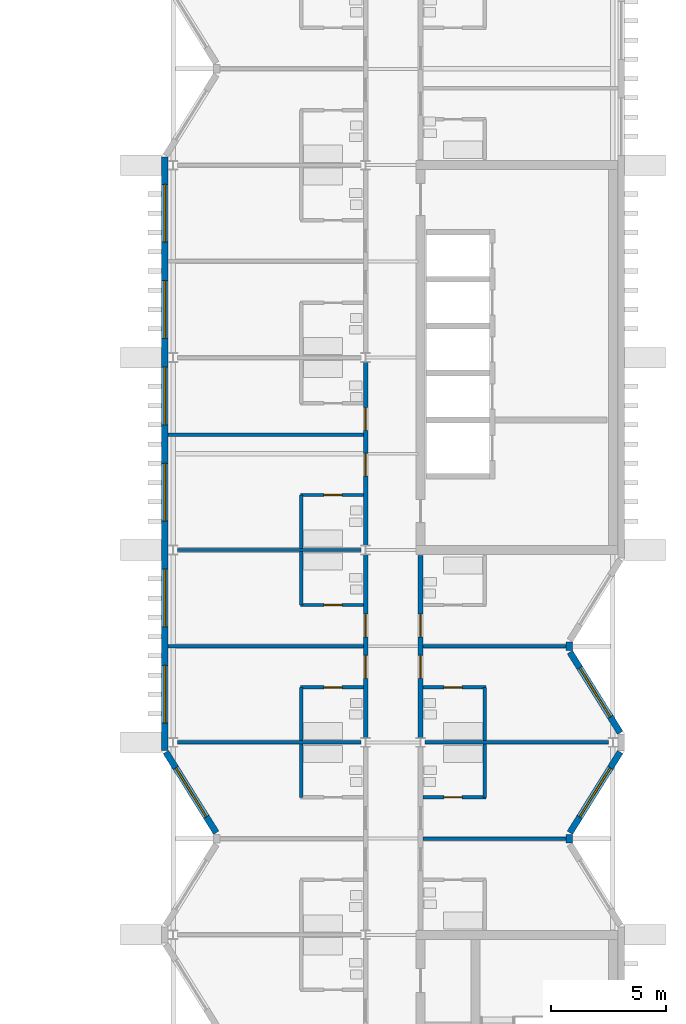
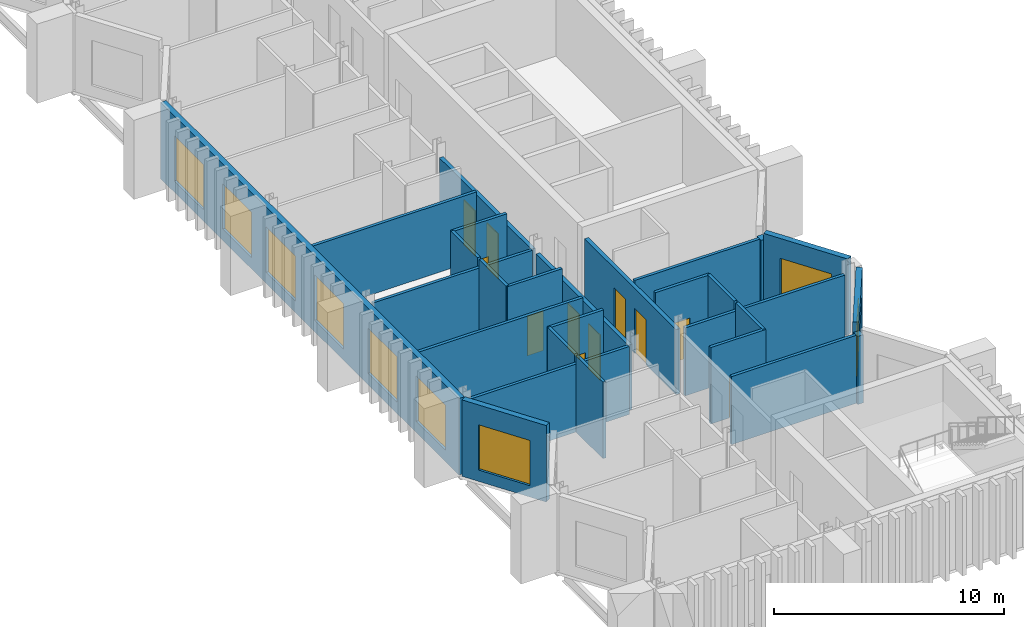
# One storey, part 13 of 20: 27 walls, 11 doors, 9 windows, 20 openings.
"""IFC4 building model written with IfcOpenShell, lengths in metres."""

from ifc_helpers import new_model, si_unit, direction, frame, frame_2d, origin, place, context, subcontext, project, spatial, rectangle, extrude, material, layer, layer_set, type_object, element, fill, save


model = new_model("IFC4")

# Units and contexts
model_context = context("Model", 3, precision=1e-05, world=origin(), true_north=direction((0.0, 1.0)))
body_context = subcontext(model_context, "Body", "Model", "MODEL_VIEW")
ifc_project = project(units=[si_unit("LENGTHUNIT", "METRE"), si_unit("AREAUNIT", "SQUARE_METRE"), si_unit("VOLUMEUNIT", "CUBIC_METRE"), si_unit("PLANEANGLEUNIT", "RADIAN"), si_unit("MASSUNIT", "GRAM", prefix="KILO")], contexts=[model_context])

# Site, building, storey
site_placement = place(None, origin())
site = spatial("IfcSite", under=ifc_project, at=site_placement, CompositionType="ELEMENT")
building_placement = place(site_placement, origin())
building = spatial("IfcBuilding", under=site, at=building_placement, Name="Cresset Court Congress Hotel", CompositionType="ELEMENT")
storey_placement = place(building_placement, frame((0.0, 0.0, 27.0)))
storey = spatial("IfcBuildingStorey", under=building, at=storey_placement, Name="L06", CompositionType="ELEMENT", Elevation=27.0)

# Wall, openings, doors
ifc_material_1 = material(Name="Gypsum board partition")
ifc_layer_1 = layer(ifc_material_1, 0.199951171875)
ifc_layer_set_1 = layer_set([ifc_layer_1], Name="Corridor wall 200")
wall_type_1 = type_object("IfcWallType", Name="Corridor wall 200", PredefinedType="PARTITIONING", material=ifc_layer_set_1)
wall_1_placement = place(storey_placement, frame((165.60009765625, 17.0, 0.0), z_axis=(0.0, 0.0, 1.0), x_axis=(0.0, 1.0, 0.0)))
wall_1 = element("IfcWall", 1, at=wall_1_placement, inside=storey, type_object=wall_type_1, Name="A.wl.L06.072", PredefinedType="PARTITIONING", context=body_context, shape_type="SweptSolid", body=[
    extrude(rectangle(XDim=8.0, YDim=0.199951171875, at=frame_2d((4.0, 0.0))), origin(), (0.0, 0.0, 1.0), 3.449951171875),
])
opening_1_placement = place(wall_1_placement, frame((2.60009765625, 0.0, 0.0)))
opening_1 = element("IfcOpeningElement", 2, at=opening_1_placement, cuts=wall_1, Name="Opening DA-06-10", PredefinedType="OPENING", context=body_context, shape_type="SweptSolid", body=[
    extrude(rectangle(XDim=1.0, YDim=2.39990234375, at=frame_2d((0.5, 1.199951171875))), frame((0.0, 0.10986328125, 0.0), z_axis=(0.0, -1.0, 0.0), x_axis=(1.0, 0.0, 0.0)), (0.0, 0.0, 1.0), 0.219970703125),
])
opening_2_placement = place(wall_1_placement, frame((4.39990234375, 0.0, 0.0)))
opening_2 = element("IfcOpeningElement", 3, at=opening_2_placement, cuts=wall_1, Name="Opening DA-06-12", PredefinedType="OPENING", context=body_context, shape_type="SweptSolid", body=[
    extrude(rectangle(XDim=1.0, YDim=2.39990234375, at=frame_2d((0.5, 1.199951171875))), frame((0.0, 0.10986328125, 0.0), z_axis=(0.0, -1.0, 0.0), x_axis=(1.0, 0.0, 0.0)), (0.0, 0.0, 1.0), 0.219970703125),
])
ifc_material_2 = material(Name="timber", Category="wood")
door_type_1 = type_object("IfcDoorType", Name="Guest-room entry door 1000x2400 FD30S", OperationType="SINGLE_SWING_LEFT", PredefinedType="DOOR", material=ifc_material_2)
door_1_placement = place(opening_1_placement, origin())
door_1 = element("IfcDoor", 4, at=door_1_placement, inside=storey, type_object=door_type_1, Name="Door DA-06-10", OperationType="SINGLE_SWING_RIGHT", OverallHeight=2.39990234375, OverallWidth=1.0, PredefinedType="DOOR", context=body_context, shape_type="SweptSolid", body=[
    extrude(rectangle(XDim=1.0, YDim=2.39990234375, at=frame_2d((0.5, 1.199951171875))), frame((0.0, 0.02490234375, 0.0), z_axis=(0.0, -1.0, 0.0), x_axis=(1.0, 0.0, 0.0)), (0.0, 0.0, 1.0), 0.050048828125),
])
fill(opening_1, door_1)
door_2_placement = place(opening_2_placement, origin())
door_2 = element("IfcDoor", 5, at=door_2_placement, inside=storey, type_object=door_type_1, Name="Door DA-06-12", OperationType="SINGLE_SWING_LEFT", OverallHeight=2.39990234375, OverallWidth=1.0, PredefinedType="DOOR", context=body_context, shape_type="SweptSolid", body=[
    extrude(rectangle(XDim=1.0, YDim=2.39990234375, at=frame_2d((0.5, 1.199951171875))), frame((0.0, 0.02490234375, 0.0), z_axis=(0.0, -1.0, 0.0), x_axis=(1.0, 0.0, 0.0)), (0.0, 0.0, 1.0), 0.050048828125),
])
fill(opening_2, door_2)

wall_2_placement = place(storey_placement, frame((165.60009765625, 25.39990234375, 0.0), z_axis=(0.0, 0.0, 1.0), x_axis=(0.0, 1.0, 0.0)))
wall_2 = element("IfcWall", 6, at=wall_2_placement, inside=storey, type_object=wall_type_1, Name="A.wl.L06.073", PredefinedType="PARTITIONING", context=body_context, shape_type="SweptSolid", body=[
    extrude(rectangle(XDim=8.0, YDim=0.199951171875, at=frame_2d((4.0, 0.0))), origin(), (0.0, 0.0, 1.0), 3.449951171875),
])
opening_3_placement = place(wall_2_placement, frame((3.02001953125, 0.0, 0.0)))
opening_3 = element("IfcOpeningElement", 7, at=opening_3_placement, cuts=wall_2, Name="Opening DA-06-14", PredefinedType="OPENING", context=body_context, shape_type="SweptSolid", body=[
    extrude(rectangle(XDim=1.0, YDim=2.39990234375, at=frame_2d((0.5, 1.199951171875))), frame((0.0, 0.10986328125, 0.0), z_axis=(0.0, -1.0, 0.0), x_axis=(1.0, 0.0, 0.0)), (0.0, 0.0, 1.0), 0.219970703125),
])
opening_4_placement = place(wall_2_placement, frame((5.02001953125, 0.0, 0.0)))
opening_4 = element("IfcOpeningElement", 8, at=opening_4_placement, cuts=wall_2, Name="Opening DA-06-16", PredefinedType="OPENING", context=body_context, shape_type="SweptSolid", body=[
    extrude(rectangle(XDim=1.0, YDim=2.39990234375, at=frame_2d((0.5, 1.199951171875))), frame((0.0, 0.10986328125, 0.0), z_axis=(0.0, -1.0, 0.0), x_axis=(1.0, 0.0, 0.0)), (0.0, 0.0, 1.0), 0.219970703125),
])
door_3_placement = place(opening_3_placement, origin())
door_3 = element("IfcDoor", 9, at=door_3_placement, inside=storey, type_object=door_type_1, Name="Door DA-06-14", OperationType="SINGLE_SWING_RIGHT", OverallHeight=2.39990234375, OverallWidth=1.0, PredefinedType="DOOR", context=body_context, shape_type="SweptSolid", body=[
    extrude(rectangle(XDim=1.0, YDim=2.39990234375, at=frame_2d((0.5, 1.199951171875))), frame((0.0, 0.02490234375, 0.0), z_axis=(0.0, -1.0, 0.0), x_axis=(1.0, 0.0, 0.0)), (0.0, 0.0, 1.0), 0.050048828125),
])
fill(opening_3, door_3)
door_4_placement = place(opening_4_placement, origin())
door_4 = element("IfcDoor", 10, at=door_4_placement, inside=storey, type_object=door_type_1, Name="Door DA-06-16", OperationType="SINGLE_SWING_LEFT", OverallHeight=2.39990234375, OverallWidth=1.0, PredefinedType="DOOR", context=body_context, shape_type="SweptSolid", body=[
    extrude(rectangle(XDim=1.0, YDim=2.39990234375, at=frame_2d((0.5, 1.199951171875))), frame((0.0, 0.02490234375, 0.0), z_axis=(0.0, -1.0, 0.0), x_axis=(1.0, 0.0, 0.0)), (0.0, 0.0, 1.0), 0.050048828125),
])
fill(opening_4, door_4)

wall_3_placement = place(storey_placement, frame((168.0, 17.0, 0.0), z_axis=(0.0, 0.0, 1.0), x_axis=(0.0, 1.0, 0.0)))
wall_3 = element("IfcWall", 11, at=wall_3_placement, inside=storey, type_object=wall_type_1, Name="A.wl.L06.079", PredefinedType="PARTITIONING", context=body_context, shape_type="SweptSolid", body=[
    extrude(rectangle(XDim=7.949951171875, YDim=0.199951171875, at=frame_2d((3.97509765625, 0.0))), origin(), (0.0, 0.0, 1.0), 3.449951171875),
])
opening_5_placement = place(wall_3_placement, frame((2.60009765625, 0.0, 0.0)))
opening_5 = element("IfcOpeningElement", 12, at=opening_5_placement, cuts=wall_3, Name="Opening DA-06-38", PredefinedType="OPENING", context=body_context, shape_type="SweptSolid", body=[
    extrude(rectangle(XDim=1.0, YDim=2.39990234375, at=frame_2d((0.5, 1.199951171875))), frame((0.0, 0.10986328125, 0.0), z_axis=(0.0, -1.0, 0.0), x_axis=(1.0, 0.0, 0.0)), (0.0, 0.0, 1.0), 0.219970703125),
])
opening_6_placement = place(wall_3_placement, frame((4.39990234375, 0.0, 0.0)))
opening_6 = element("IfcOpeningElement", 13, at=opening_6_placement, cuts=wall_3, Name="Opening DA-06-40", PredefinedType="OPENING", context=body_context, shape_type="SweptSolid", body=[
    extrude(rectangle(XDim=1.0, YDim=2.39990234375, at=frame_2d((0.5, 1.199951171875))), frame((0.0, 0.10986328125, 0.0), z_axis=(0.0, -1.0, 0.0), x_axis=(1.0, 0.0, 0.0)), (0.0, 0.0, 1.0), 0.219970703125),
])
door_5_placement = place(opening_5_placement, origin())
door_5 = element("IfcDoor", 14, at=door_5_placement, inside=storey, type_object=door_type_1, Name="Door DA-06-38", OperationType="SINGLE_SWING_RIGHT", OverallHeight=2.39990234375, OverallWidth=1.0, PredefinedType="DOOR", context=body_context, shape_type="SweptSolid", body=[
    extrude(rectangle(XDim=1.0, YDim=2.39990234375, at=frame_2d((0.5, 1.199951171875))), frame((0.0, 0.02490234375, 0.0), z_axis=(0.0, -1.0, 0.0), x_axis=(1.0, 0.0, 0.0)), (0.0, 0.0, 1.0), 0.050048828125),
])
fill(opening_5, door_5)
door_6_placement = place(opening_6_placement, origin())
door_6 = element("IfcDoor", 15, at=door_6_placement, inside=storey, type_object=door_type_1, Name="Door DA-06-40", OperationType="SINGLE_SWING_LEFT", OverallHeight=2.39990234375, OverallWidth=1.0, PredefinedType="DOOR", context=body_context, shape_type="SweptSolid", body=[
    extrude(rectangle(XDim=1.0, YDim=2.39990234375, at=frame_2d((0.5, 1.199951171875))), frame((0.0, 0.02490234375, 0.0), z_axis=(0.0, -1.0, 0.0), x_axis=(1.0, 0.0, 0.0)), (0.0, 0.0, 1.0), 0.050048828125),
])
fill(opening_6, door_6)

# Walls
ifc_material_3 = material(Name="Gypsum board partition")
ifc_layer_2 = layer(ifc_material_3, 0.14990234375)
ifc_layer_set_2 = layer_set([ifc_layer_2], Name="En-suite wall 150")
wall_type_2 = type_object("IfcWallType", Name="En-suite wall 150", PredefinedType="PARTITIONING", material=ifc_layer_set_2)
wall_4_placement = place(storey_placement, frame((162.800048828125, 14.39990234375, 0.0), z_axis=(0.0, 0.0, 1.0), x_axis=(0.0, 1.0, 0.0)))
element("IfcWall", 16, at=wall_4_placement, inside=storey, type_object=wall_type_2, Name="A.wl.L06.007", PredefinedType="PARTITIONING", context=body_context, shape_type="SweptSolid", body=[
    extrude(rectangle(XDim=2.3251953125, YDim=0.14990234375, at=frame_2d((1.16259765625, 0.0))), origin(), (0.0, 0.0, 1.0), 4.050048828125),
])
wall_5_placement = place(storey_placement, frame((162.800048828125, 16.875, 0.0), z_axis=(0.0, 0.0, 1.0), x_axis=(0.0, 1.0, 0.0)))
element("IfcWall", 17, at=wall_5_placement, inside=storey, type_object=wall_type_2, Name="A.wl.L06.009", PredefinedType="PARTITIONING", context=body_context, shape_type="SweptSolid", body=[
    extrude(rectangle(XDim=2.324951171875, YDim=0.14990234375, at=frame_2d((1.16259765625, 0.0))), origin(), (0.0, 0.0, 1.0), 4.050048828125),
])

# Wall, opening, door
wall_6_placement = place(storey_placement, frame((162.75, 19.199951171875, 0.0), z_axis=(0.0, 0.0, 1.0), x_axis=(1.0, 0.0, 0.0)))
wall_6 = element("IfcWall", 18, at=wall_6_placement, inside=storey, type_object=wall_type_2, Name="A.wl.L06.010", PredefinedType="PARTITIONING", context=body_context, shape_type="SweptSolid", body=[
    extrude(rectangle(XDim=2.75, YDim=0.14990234375, at=frame_2d((1.375, 0.0))), origin(), (0.0, 0.0, 1.0), 4.050048828125),
])
opening_7_placement = place(wall_6_placement, frame((1.030029296875, 0.0, 0.0)))
opening_7 = element("IfcOpeningElement", 19, at=opening_7_placement, cuts=wall_6, Name="Opening DA-06-09", PredefinedType="OPENING", context=body_context, shape_type="SweptSolid", body=[
    extrude(rectangle(XDim=0.800048828125, YDim=2.10009765625, at=frame_2d((0.39990234375, 1.050048828125))), frame((0.0, 0.0849609375, 0.0), z_axis=(0.0, -1.0, 0.0), x_axis=(1.0, 0.0, 0.0)), (0.0, 0.0, 1.0), 0.169921875),
])
ifc_material_4 = material(Name="timber", Category="wood")
door_type_2 = type_object("IfcDoorType", Name="En-suite door 800x2100", OperationType="SINGLE_SWING_LEFT", PredefinedType="DOOR", material=ifc_material_4)
door_7_placement = place(opening_7_placement, origin())
door_7 = element("IfcDoor", 20, at=door_7_placement, inside=storey, type_object=door_type_2, Name="Door DA-06-09", OperationType="SINGLE_SWING_RIGHT", OverallHeight=2.10009765625, OverallWidth=0.800048828125, PredefinedType="DOOR", context=body_context, shape_type="SweptSolid", body=[
    extrude(rectangle(XDim=0.800048828125, YDim=2.10009765625, at=frame_2d((0.39990234375, 1.050048828125))), frame((0.0, 0.02490234375, 0.0), z_axis=(0.0, -1.0, 0.0), x_axis=(1.0, 0.0, 0.0)), (0.0, 0.0, 1.0), 0.050048828125),
])
fill(opening_7, door_7)

# Wall
wall_7_placement = place(storey_placement, frame((162.800048828125, 22.800048828125, 0.0), z_axis=(0.0, 0.0, 1.0), x_axis=(0.0, 1.0, 0.0)))
element("IfcWall", 21, at=wall_7_placement, inside=storey, type_object=wall_type_2, Name="A.wl.L06.011", PredefinedType="PARTITIONING", context=body_context, shape_type="SweptSolid", body=[
    extrude(rectangle(XDim=2.324951171875, YDim=0.14990234375, at=frame_2d((1.16259765625, 0.0))), origin(), (0.0, 0.0, 1.0), 4.050048828125),
])

# Wall, opening, door
wall_8_placement = place(storey_placement, frame((162.75, 22.800048828125, 0.0), z_axis=(0.0, 0.0, 1.0), x_axis=(1.0, 0.0, 0.0)))
wall_8 = element("IfcWall", 22, at=wall_8_placement, inside=storey, type_object=wall_type_2, Name="A.wl.L06.012", PredefinedType="PARTITIONING", context=body_context, shape_type="SweptSolid", body=[
    extrude(rectangle(XDim=2.75, YDim=0.14990234375, at=frame_2d((1.375, 0.0))), origin(), (0.0, 0.0, 1.0), 4.050048828125),
])
opening_8_placement = place(wall_8_placement, frame((1.030029296875, 0.0, 0.0)))
opening_8 = element("IfcOpeningElement", 23, at=opening_8_placement, cuts=wall_8, Name="Opening DA-06-11", PredefinedType="OPENING", context=body_context, shape_type="SweptSolid", body=[
    extrude(rectangle(XDim=0.800048828125, YDim=2.10009765625, at=frame_2d((0.39990234375, 1.050048828125))), frame((0.0, 0.0849609375, 0.0), z_axis=(0.0, -1.0, 0.0), x_axis=(1.0, 0.0, 0.0)), (0.0, 0.0, 1.0), 0.169921875),
])
door_8_placement = place(opening_8_placement, origin())
door_8 = element("IfcDoor", 24, at=door_8_placement, inside=storey, type_object=door_type_2, Name="Door DA-06-11", OperationType="SINGLE_SWING_LEFT", OverallHeight=2.10009765625, OverallWidth=0.800048828125, PredefinedType="DOOR", context=body_context, shape_type="SweptSolid", body=[
    extrude(rectangle(XDim=0.800048828125, YDim=2.10009765625, at=frame_2d((0.39990234375, 1.050048828125))), frame((0.0, 0.02490234375, 0.0), z_axis=(0.0, -1.0, 0.0), x_axis=(1.0, 0.0, 0.0)), (0.0, 0.0, 1.0), 0.050048828125),
])
fill(opening_8, door_8)

# Wall
wall_9_placement = place(storey_placement, frame((162.800048828125, 25.27490234375, 0.0), z_axis=(0.0, 0.0, 1.0), x_axis=(0.0, 1.0, 0.0)))
element("IfcWall", 25, at=wall_9_placement, inside=storey, type_object=wall_type_2, Name="A.wl.L06.013", PredefinedType="PARTITIONING", context=body_context, shape_type="SweptSolid", body=[
    extrude(rectangle(XDim=2.3251953125, YDim=0.14990234375, at=frame_2d((1.16259765625, 0.0))), origin(), (0.0, 0.0, 1.0), 4.050048828125),
])

# Wall, opening, door
wall_10_placement = place(storey_placement, frame((162.75, 27.60009765625, 0.0), z_axis=(0.0, 0.0, 1.0), x_axis=(1.0, 0.0, 0.0)))
wall_10 = element("IfcWall", 26, at=wall_10_placement, inside=storey, type_object=wall_type_2, Name="A.wl.L06.014", PredefinedType="PARTITIONING", context=body_context, shape_type="SweptSolid", body=[
    extrude(rectangle(XDim=2.75, YDim=0.14990234375, at=frame_2d((1.375, 0.0))), origin(), (0.0, 0.0, 1.0), 4.050048828125),
])
opening_9_placement = place(wall_10_placement, frame((1.030029296875, 0.0, 0.0)))
opening_9 = element("IfcOpeningElement", 27, at=opening_9_placement, cuts=wall_10, Name="Opening DA-06-13", PredefinedType="OPENING", context=body_context, shape_type="SweptSolid", body=[
    extrude(rectangle(XDim=0.800048828125, YDim=2.10009765625, at=frame_2d((0.39990234375, 1.050048828125))), frame((0.0, 0.0849609375, 0.0), z_axis=(0.0, -1.0, 0.0), x_axis=(1.0, 0.0, 0.0)), (0.0, 0.0, 1.0), 0.169921875),
])
door_9_placement = place(opening_9_placement, origin())
door_9 = element("IfcDoor", 28, at=door_9_placement, inside=storey, type_object=door_type_2, Name="Door DA-06-13", OperationType="SINGLE_SWING_RIGHT", OverallHeight=2.10009765625, OverallWidth=0.800048828125, PredefinedType="DOOR", context=body_context, shape_type="SweptSolid", body=[
    extrude(rectangle(XDim=0.800048828125, YDim=2.10009765625, at=frame_2d((0.39990234375, 1.050048828125))), frame((0.0, 0.02490234375, 0.0), z_axis=(0.0, -1.0, 0.0), x_axis=(1.0, 0.0, 0.0)), (0.0, 0.0, 1.0), 0.050048828125),
])
fill(opening_9, door_9)

# Wall
wall_11_placement = place(storey_placement, frame((170.800048828125, 14.39990234375, 0.0), z_axis=(0.0, 0.0, 1.0), x_axis=(0.0, 1.0, 0.0)))
element("IfcWall", 29, at=wall_11_placement, inside=storey, type_object=wall_type_2, Name="A.wl.L06.035", PredefinedType="PARTITIONING", context=body_context, shape_type="SweptSolid", body=[
    extrude(rectangle(XDim=2.3251953125, YDim=0.14990234375, at=frame_2d((1.16259765625, 0.0))), origin(), (0.0, 0.0, 1.0), 4.050048828125),
])

# Wall, opening, door
wall_12_placement = place(storey_placement, frame((170.85009765625, 14.39990234375, 0.0), z_axis=(0.0, 0.0, 1.0), x_axis=(-1.0, 0.0, 0.0)))
wall_12 = element("IfcWall", 30, at=wall_12_placement, inside=storey, type_object=wall_type_2, Name="A.wl.L06.036", PredefinedType="PARTITIONING", context=body_context, shape_type="SweptSolid", body=[
    extrude(rectangle(XDim=2.75, YDim=0.14990234375, at=frame_2d((1.375, 0.0))), origin(), (0.0, 0.0, 1.0), 4.050048828125),
])
opening_10_placement = place(wall_12_placement, frame((1.030029296875, 0.0, 0.0)))
opening_10 = element("IfcOpeningElement", 31, at=opening_10_placement, cuts=wall_12, Name="Opening DA-06-35", PredefinedType="OPENING", context=body_context, shape_type="SweptSolid", body=[
    extrude(rectangle(XDim=0.800048828125, YDim=2.10009765625, at=frame_2d((0.39990234375, 1.050048828125))), frame((0.0, 0.0849609375, 0.0), z_axis=(0.0, -1.0, 0.0), x_axis=(1.0, 0.0, 0.0)), (0.0, 0.0, 1.0), 0.169921875),
])
door_10_placement = place(opening_10_placement, origin())
door_10 = element("IfcDoor", 32, at=door_10_placement, inside=storey, type_object=door_type_2, Name="Door DA-06-35", OperationType="SINGLE_SWING_LEFT", OverallHeight=2.10009765625, OverallWidth=0.800048828125, PredefinedType="DOOR", context=body_context, shape_type="SweptSolid", body=[
    extrude(rectangle(XDim=0.800048828125, YDim=2.10009765625, at=frame_2d((0.39990234375, 1.050048828125))), frame((0.0, 0.02490234375, 0.0), z_axis=(0.0, -1.0, 0.0), x_axis=(1.0, 0.0, 0.0)), (0.0, 0.0, 1.0), 0.050048828125),
])
fill(opening_10, door_10)

# Wall
wall_13_placement = place(storey_placement, frame((170.800048828125, 16.875, 0.0), z_axis=(0.0, 0.0, 1.0), x_axis=(0.0, 1.0, 0.0)))
element("IfcWall", 33, at=wall_13_placement, inside=storey, type_object=wall_type_2, Name="A.wl.L06.037", PredefinedType="PARTITIONING", context=body_context, shape_type="SweptSolid", body=[
    extrude(rectangle(XDim=2.324951171875, YDim=0.14990234375, at=frame_2d((1.16259765625, 0.0))), origin(), (0.0, 0.0, 1.0), 4.050048828125),
])

# Wall, opening, door
wall_14_placement = place(storey_placement, frame((170.85009765625, 19.199951171875, 0.0), z_axis=(0.0, 0.0, 1.0), x_axis=(-1.0, 0.0, 0.0)))
wall_14 = element("IfcWall", 34, at=wall_14_placement, inside=storey, type_object=wall_type_2, Name="A.wl.L06.038", PredefinedType="PARTITIONING", context=body_context, shape_type="SweptSolid", body=[
    extrude(rectangle(XDim=2.75, YDim=0.14990234375, at=frame_2d((1.375, 0.0))), origin(), (0.0, 0.0, 1.0), 4.050048828125),
])
opening_11_placement = place(wall_14_placement, frame((1.030029296875, 0.0, 0.0)))
opening_11 = element("IfcOpeningElement", 35, at=opening_11_placement, cuts=wall_14, Name="Opening DA-06-37", PredefinedType="OPENING", context=body_context, shape_type="SweptSolid", body=[
    extrude(rectangle(XDim=0.800048828125, YDim=2.10009765625, at=frame_2d((0.39990234375, 1.050048828125))), frame((0.0, 0.0849609375, 0.0), z_axis=(0.0, -1.0, 0.0), x_axis=(1.0, 0.0, 0.0)), (0.0, 0.0, 1.0), 0.169921875),
])
door_11_placement = place(opening_11_placement, origin())
door_11 = element("IfcDoor", 36, at=door_11_placement, inside=storey, type_object=door_type_2, Name="Door DA-06-37", OperationType="SINGLE_SWING_RIGHT", OverallHeight=2.10009765625, OverallWidth=0.800048828125, PredefinedType="DOOR", context=body_context, shape_type="SweptSolid", body=[
    extrude(rectangle(XDim=0.800048828125, YDim=2.10009765625, at=frame_2d((0.39990234375, 1.050048828125))), frame((0.0, 0.02490234375, 0.0), z_axis=(0.0, -1.0, 0.0), x_axis=(1.0, 0.0, 0.0)), (0.0, 0.0, 1.0), 0.050048828125),
])
fill(opening_11, door_11)

# Wall, opening, window
ifc_material_5 = material(Name="Precast concrete C50", Category="concrete")
ifc_layer_3 = layer(ifc_material_5, 0.280029296875)
ifc_layer_set_3 = layer_set([ifc_layer_3], Name="External wall 280")
wall_type_3 = type_object("IfcWallType", Name="External wall 280", PredefinedType="SOLIDWALL", material=ifc_layer_set_3)
wall_15_placement = place(storey_placement, frame((159.07861328125, 12.85888671875, 0.0), z_axis=(0.0, 0.0, 1.0), x_axis=(-0.528992500338, 0.848626498871, 0.0)))
wall_15 = element("IfcWall", 37, at=wall_15_placement, inside=storey, type_object=wall_type_3, Name="A.ew.L06.Wn.1.1", PredefinedType="SOLIDWALL", context=body_context, shape_type="SweptSolid", body=[
    extrude(rectangle(XDim=4.14453125, YDim=0.280029296875, at=frame_2d((2.072265625, 0.0))), origin(), (0.0, 0.0, 1.0), 4.050048828125),
])
opening_12_placement = place(wall_15_placement, frame((0.812255859375, 0.0, 0.60009765625)))
opening_12 = element("IfcOpeningElement", 38, at=opening_12_placement, cuts=wall_15, Name="Opening NA-06-04", PredefinedType="OPENING", context=body_context, shape_type="SweptSolid", body=[
    extrude(rectangle(XDim=2.52001953125, YDim=2.39990234375, at=frame_2d((1.260009765625, 1.199951171875))), frame((0.0, 0.14990234375, 0.0), z_axis=(0.0, -1.0, 0.0), x_axis=(1.0, 0.0, 0.0)), (0.0, 0.0, 1.0), 0.300048828125),
])
ifc_material_6 = material(Name="Aluminium and glass", Category="aluminium")
window_type = type_object("IfcWindowType", Name="Window 2520x2400", PartitioningType="SINGLE_PANEL", PredefinedType="WINDOW", material=ifc_material_6)
window_1_placement = place(opening_12_placement, origin())
window_1 = element("IfcWindow", 39, at=window_1_placement, inside=storey, type_object=window_type, Name="Window NA-06-04", OverallHeight=2.39990234375, OverallWidth=2.52001953125, PartitioningType="SINGLE_PANEL", PredefinedType="WINDOW", context=body_context, shape_type="SweptSolid", body=[
    extrude(rectangle(XDim=2.52001953125, YDim=2.39990234375, at=frame_2d((1.260009765625, 1.199951171875))), frame((0.0, 0.030029296875, 0.0), z_axis=(0.0, -1.0, 0.0), x_axis=(1.0, 0.0, 0.0)), (0.0, 0.0, 1.0), 0.06005859375),
])
fill(opening_12, window_1)

# Wall, openings, windows
wall_16_placement = place(storey_placement, frame((156.840087890625, 16.449951171875, 0.0), z_axis=(0.0, 0.0, 1.0), x_axis=(0.0, 1.0, 0.0)))
wall_16 = element("IfcWall", 40, at=wall_16_placement, inside=storey, type_object=wall_type_3, Name="A.ew.L06.W.3", PredefinedType="SOLIDWALL", context=body_context, shape_type="SweptSolid", body=[
    extrude(rectangle(XDim=25.900146484375, YDim=0.280029296875, at=frame_2d((12.9501953125, 0.0))), origin(), (0.0, 0.0, 1.0), 4.050048828125),
])
opening_13_placement = place(wall_16_placement, frame((1.18994140625, 0.0, 0.60009765625)))
opening_13 = element("IfcOpeningElement", 41, at=opening_13_placement, cuts=wall_16, Name="Opening NA-06-05", PredefinedType="OPENING", context=body_context, shape_type="SweptSolid", body=[
    extrude(rectangle(XDim=2.52001953125, YDim=2.39990234375, at=frame_2d((1.260009765625, 1.199951171875))), frame((0.0, 0.14990234375, 0.0), z_axis=(0.0, -1.0, 0.0), x_axis=(1.0, 0.0, 0.0)), (0.0, 0.0, 1.0), 0.300048828125),
])
opening_14_placement = place(wall_16_placement, frame((5.389892578125, 0.0, 0.60009765625)))
opening_14 = element("IfcOpeningElement", 42, at=opening_14_placement, cuts=wall_16, Name="Opening NA-06-06", PredefinedType="OPENING", context=body_context, shape_type="SweptSolid", body=[
    extrude(rectangle(XDim=2.52001953125, YDim=2.39990234375, at=frame_2d((1.260009765625, 1.199951171875))), frame((0.0, 0.14990234375, 0.0), z_axis=(0.0, -1.0, 0.0), x_axis=(1.0, 0.0, 0.0)), (0.0, 0.0, 1.0), 0.300048828125),
])
opening_15_placement = place(wall_16_placement, frame((10.010009765625, 0.0, 0.60009765625)))
opening_15 = element("IfcOpeningElement", 43, at=opening_15_placement, cuts=wall_16, Name="Opening NA-06-07", PredefinedType="OPENING", context=body_context, shape_type="SweptSolid", body=[
    extrude(rectangle(XDim=2.52001953125, YDim=2.39990234375, at=frame_2d((1.260009765625, 1.199951171875))), frame((0.0, 0.14990234375, 0.0), z_axis=(0.0, -1.0, 0.0), x_axis=(1.0, 0.0, 0.0)), (0.0, 0.0, 1.0), 0.300048828125),
])
opening_16_placement = place(wall_16_placement, frame((14.2099609375, 0.0, 0.60009765625)))
opening_16 = element("IfcOpeningElement", 44, at=opening_16_placement, cuts=wall_16, Name="Opening NA-06-08", PredefinedType="OPENING", context=body_context, shape_type="SweptSolid", body=[
    extrude(rectangle(XDim=2.52001953125, YDim=2.39990234375, at=frame_2d((1.260009765625, 1.199951171875))), frame((0.0, 0.14990234375, 0.0), z_axis=(0.0, -1.0, 0.0), x_axis=(1.0, 0.0, 0.0)), (0.0, 0.0, 1.0), 0.300048828125),
])
opening_17_placement = place(wall_16_placement, frame((17.989990234375, 0.0, 0.60009765625)))
opening_17 = element("IfcOpeningElement", 45, at=opening_17_placement, cuts=wall_16, Name="Opening NA-06-09", PredefinedType="OPENING", context=body_context, shape_type="SweptSolid", body=[
    extrude(rectangle(XDim=2.52001953125, YDim=2.39990234375, at=frame_2d((1.260009765625, 1.199951171875))), frame((0.0, 0.14990234375, 0.0), z_axis=(0.0, -1.0, 0.0), x_axis=(1.0, 0.0, 0.0)), (0.0, 0.0, 1.0), 0.300048828125),
])
opening_18_placement = place(wall_16_placement, frame((22.18994140625, 0.0, 0.60009765625)))
opening_18 = element("IfcOpeningElement", 46, at=opening_18_placement, cuts=wall_16, Name="Opening NA-06-10", PredefinedType="OPENING", context=body_context, shape_type="SweptSolid", body=[
    extrude(rectangle(XDim=2.52001953125, YDim=2.39990234375, at=frame_2d((1.260009765625, 1.199951171875))), frame((0.0, 0.14990234375, 0.0), z_axis=(0.0, -1.0, 0.0), x_axis=(1.0, 0.0, 0.0)), (0.0, 0.0, 1.0), 0.300048828125),
])
window_2_placement = place(opening_13_placement, origin())
window_2 = element("IfcWindow", 47, at=window_2_placement, inside=storey, type_object=window_type, Name="Window NA-06-05", OverallHeight=2.39990234375, OverallWidth=2.52001953125, PartitioningType="SINGLE_PANEL", PredefinedType="WINDOW", context=body_context, shape_type="SweptSolid", body=[
    extrude(rectangle(XDim=2.52001953125, YDim=2.39990234375, at=frame_2d((1.260009765625, 1.199951171875))), frame((0.0, 0.030029296875, 0.0), z_axis=(0.0, -1.0, 0.0), x_axis=(1.0, 0.0, 0.0)), (0.0, 0.0, 1.0), 0.06005859375),
])
fill(opening_13, window_2)
window_3_placement = place(opening_14_placement, origin())
window_3 = element("IfcWindow", 48, at=window_3_placement, inside=storey, type_object=window_type, Name="Window NA-06-06", OverallHeight=2.39990234375, OverallWidth=2.52001953125, PartitioningType="SINGLE_PANEL", PredefinedType="WINDOW", context=body_context, shape_type="SweptSolid", body=[
    extrude(rectangle(XDim=2.52001953125, YDim=2.39990234375, at=frame_2d((1.260009765625, 1.199951171875))), frame((0.0, 0.030029296875, 0.0), z_axis=(0.0, -1.0, 0.0), x_axis=(1.0, 0.0, 0.0)), (0.0, 0.0, 1.0), 0.06005859375),
])
fill(opening_14, window_3)
window_4_placement = place(opening_15_placement, origin())
window_4 = element("IfcWindow", 49, at=window_4_placement, inside=storey, type_object=window_type, Name="Window NA-06-07", OverallHeight=2.39990234375, OverallWidth=2.52001953125, PartitioningType="SINGLE_PANEL", PredefinedType="WINDOW", context=body_context, shape_type="SweptSolid", body=[
    extrude(rectangle(XDim=2.52001953125, YDim=2.39990234375, at=frame_2d((1.260009765625, 1.199951171875))), frame((0.0, 0.030029296875, 0.0), z_axis=(0.0, -1.0, 0.0), x_axis=(1.0, 0.0, 0.0)), (0.0, 0.0, 1.0), 0.06005859375),
])
fill(opening_15, window_4)
window_5_placement = place(opening_16_placement, origin())
window_5 = element("IfcWindow", 50, at=window_5_placement, inside=storey, type_object=window_type, Name="Window NA-06-08", OverallHeight=2.39990234375, OverallWidth=2.52001953125, PartitioningType="SINGLE_PANEL", PredefinedType="WINDOW", context=body_context, shape_type="SweptSolid", body=[
    extrude(rectangle(XDim=2.52001953125, YDim=2.39990234375, at=frame_2d((1.260009765625, 1.199951171875))), frame((0.0, 0.030029296875, 0.0), z_axis=(0.0, -1.0, 0.0), x_axis=(1.0, 0.0, 0.0)), (0.0, 0.0, 1.0), 0.06005859375),
])
fill(opening_16, window_5)
window_6_placement = place(opening_17_placement, origin())
window_6 = element("IfcWindow", 51, at=window_6_placement, inside=storey, type_object=window_type, Name="Window NA-06-09", OverallHeight=2.39990234375, OverallWidth=2.52001953125, PartitioningType="SINGLE_PANEL", PredefinedType="WINDOW", context=body_context, shape_type="SweptSolid", body=[
    extrude(rectangle(XDim=2.52001953125, YDim=2.39990234375, at=frame_2d((1.260009765625, 1.199951171875))), frame((0.0, 0.030029296875, 0.0), z_axis=(0.0, -1.0, 0.0), x_axis=(1.0, 0.0, 0.0)), (0.0, 0.0, 1.0), 0.06005859375),
])
fill(opening_17, window_6)
window_7_placement = place(opening_18_placement, origin())
window_7 = element("IfcWindow", 52, at=window_7_placement, inside=storey, type_object=window_type, Name="Window NA-06-10", OverallHeight=2.39990234375, OverallWidth=2.52001953125, PartitioningType="SINGLE_PANEL", PredefinedType="WINDOW", context=body_context, shape_type="SweptSolid", body=[
    extrude(rectangle(XDim=2.52001953125, YDim=2.39990234375, at=frame_2d((1.260009765625, 1.199951171875))), frame((0.0, 0.030029296875, 0.0), z_axis=(0.0, -1.0, 0.0), x_axis=(1.0, 0.0, 0.0)), (0.0, 0.0, 1.0), 0.06005859375),
])
fill(opening_18, window_7)

# Wall, opening, window
wall_17_placement = place(storey_placement, frame((174.521484375, 12.85888671875, 0.0), z_axis=(0.0, 0.0, 1.0), x_axis=(0.528992500338, 0.848626498871, 0.0)))
wall_17 = element("IfcWall", 53, at=wall_17_placement, inside=storey, type_object=wall_type_3, Name="A.ew.L06.En.1.1", PredefinedType="SOLIDWALL", context=body_context, shape_type="SweptSolid", body=[
    extrude(rectangle(XDim=4.14453125, YDim=0.280029296875, at=frame_2d((2.072265625, 0.0))), origin(), (0.0, 0.0, 1.0), 4.050048828125),
])
opening_19_placement = place(wall_17_placement, frame((0.81201171875, 0.0, 0.60009765625)))
opening_19 = element("IfcOpeningElement", 54, at=opening_19_placement, cuts=wall_17, Name="Opening NA-06-18", PredefinedType="OPENING", context=body_context, shape_type="SweptSolid", body=[
    extrude(rectangle(XDim=2.52001953125, YDim=2.39990234375, at=frame_2d((1.260009765625, 1.199951171875))), frame((0.0, 0.14990234375, 0.0), z_axis=(0.0, -1.0, 0.0), x_axis=(1.0, 0.0, 0.0)), (0.0, 0.0, 1.0), 0.300048828125),
])
window_8_placement = place(opening_19_placement, origin())
window_8 = element("IfcWindow", 55, at=window_8_placement, inside=storey, type_object=window_type, Name="Window NA-06-18", OverallHeight=2.39990234375, OverallWidth=2.52001953125, PartitioningType="SINGLE_PANEL", PredefinedType="WINDOW", context=body_context, shape_type="SweptSolid", body=[
    extrude(rectangle(XDim=2.52001953125, YDim=2.39990234375, at=frame_2d((1.260009765625, 1.199951171875))), frame((0.0, 0.030029296875, 0.0), z_axis=(0.0, -1.0, 0.0), x_axis=(1.0, 0.0, 0.0)), (0.0, 0.0, 1.0), 0.06005859375),
])
fill(opening_19, window_8)

# Wall
wall_18_placement = place(storey_placement, frame((174.500244140625, 12.4150390625, 0.0), z_axis=(0.0, 0.0, 1.0), x_axis=(0.0, 1.0, 0.0)))
element("IfcWall", 56, at=wall_18_placement, inside=storey, type_object=wall_type_3, Name="A.ew.L06.En.1.2", PredefinedType="SOLIDWALL", context=body_context, shape_type="SweptSolid", body=[
    extrude(rectangle(XDim=0.369873046875, YDim=0.280029296875, at=frame_2d((0.18505859375, 0.0))), origin(), (0.0, 0.0, 1.0), 3.60400390625),
])

# Wall, opening, window
wall_19_placement = place(storey_placement, frame((176.7138671875, 17.22412109375, 0.0), z_axis=(0.0, 0.0, 1.0), x_axis=(-0.529018946142, 0.848610013271, 0.0)))
wall_19 = element("IfcWall", 57, at=wall_19_placement, inside=storey, type_object=wall_type_3, Name="A.ew.L06.En.2.0", PredefinedType="SOLIDWALL", context=body_context, shape_type="SweptSolid", body=[
    extrude(rectangle(XDim=4.144287109375, YDim=0.280029296875, at=frame_2d((2.072265625, 0.0))), origin(), (0.0, 0.0, 1.0), 4.050048828125),
])
opening_20_placement = place(wall_19_placement, frame((0.81201171875, 0.0, 0.60009765625)))
opening_20 = element("IfcOpeningElement", 58, at=opening_20_placement, cuts=wall_19, Name="Opening NA-06-19", PredefinedType="OPENING", context=body_context, shape_type="SweptSolid", body=[
    extrude(rectangle(XDim=2.52001953125, YDim=2.39990234375, at=frame_2d((1.260009765625, 1.199951171875))), frame((0.0, 0.14990234375, 0.0), z_axis=(0.0, -1.0, 0.0), x_axis=(1.0, 0.0, 0.0)), (0.0, 0.0, 1.0), 0.300048828125),
])
window_9_placement = place(opening_20_placement, origin())
window_9 = element("IfcWindow", 59, at=window_9_placement, inside=storey, type_object=window_type, Name="Window NA-06-19", OverallHeight=2.39990234375, OverallWidth=2.52001953125, PartitioningType="SINGLE_PANEL", PredefinedType="WINDOW", context=body_context, shape_type="SweptSolid", body=[
    extrude(rectangle(XDim=2.52001953125, YDim=2.39990234375, at=frame_2d((1.260009765625, 1.199951171875))), frame((0.0, 0.030029296875, 0.0), z_axis=(0.0, -1.0, 0.0), x_axis=(1.0, 0.0, 0.0)), (0.0, 0.0, 1.0), 0.06005859375),
])
fill(opening_20, window_9)

# Walls
wall_20_placement = place(storey_placement, frame((174.500244140625, 20.815185546875, 0.0), z_axis=(0.0, 0.0, 1.0), x_axis=(0.0, 1.0, 0.0)))
element("IfcWall", 60, at=wall_20_placement, inside=storey, type_object=wall_type_3, Name="A.ew.L06.En.2.2", PredefinedType="SOLIDWALL", context=body_context, shape_type="SweptSolid", body=[
    extrude(rectangle(XDim=0.36962890625, YDim=0.280029296875, at=frame_2d((0.184814453125, 0.0))), origin(), (0.0, 0.0, 1.0), 3.60400390625),
])
ifc_material_7 = material(Name="Gypsum board partition")
ifc_layer_4 = layer(ifc_material_7, 0.14990234375)
ifc_layer_set_4 = layer_set([ifc_layer_4], Name="Guest-room partition 150")
wall_type_4 = type_object("IfcWallType", Name="Guest-room partition 150", PredefinedType="PARTITIONING", material=ifc_layer_set_4)
for number, where, z_axis, x_axis, name in (
    (61, (157.39990234375, 16.800048828125, 0.0), (0.0, 0.0, 1.0), (1.0, 0.0, 0.0), "A.wl.L06.050"),
    (62, (157.39990234375, 25.199951171875, 0.0), (0.0, 0.0, 1.0), (1.0, 0.0, 0.0), "A.wl.L06.051"),
    (63, (168.199951171875, 16.800048828125, 0.0), (0.0, 0.0, 1.0), (1.0, 0.0, 0.0), "A.wl.L06.056"),
):
    element("IfcWall", number, at=place(storey_placement, frame(where, z_axis=z_axis, x_axis=x_axis)), inside=storey, type_object=wall_type_4, Name=name, PredefinedType="PARTITIONING", context=body_context, shape_type="SweptSolid", body=[
        extrude(rectangle(XDim=8.0, YDim=0.14990234375, at=frame_2d((4.0, 0.0))), origin(), (0.0, 0.0, 1.0), 3.60400390625),
    ])
for number, where, z_axis, x_axis, name in (
    (64, (156.97998046875, 21.0, 0.0), (0.0, 0.0, 1.0), (1.0, 0.0, 0.0), "A.wl.L06.060"),
    (65, (156.97998046875, 30.239990234375, 0.0), (0.0, 0.0, 1.0), (1.0, 0.0, 0.0), "A.wl.L06.061"),
):
    element("IfcWall", number, at=place(storey_placement, frame(where, z_axis=z_axis, x_axis=x_axis)), inside=storey, type_object=wall_type_4, Name=name, PredefinedType="PARTITIONING", context=body_context, shape_type="SweptSolid", body=[
        extrude(rectangle(XDim=8.52001953125, YDim=0.14990234375, at=frame_2d((4.260009765625, 0.0))), origin(), (0.0, 0.0, 1.0), 3.60400390625),
    ])
for number, where, z_axis, x_axis, name in (
    (66, (168.10009765625, 12.60009765625, 0.0), (0.0, 0.0, 1.0), (1.0, 0.0, 0.0), "A.wl.L06.066"),
    (67, (168.10009765625, 21.0, 0.0), (0.0, 0.0, 1.0), (1.0, 0.0, 0.0), "A.wl.L06.067"),
):
    element("IfcWall", number, at=place(storey_placement, frame(where, z_axis=z_axis, x_axis=x_axis)), inside=storey, type_object=wall_type_4, Name=name, PredefinedType="PARTITIONING", context=body_context, shape_type="SweptSolid", body=[
        extrude(rectangle(XDim=6.26025390625, YDim=0.14990234375, at=frame_2d((3.130126953125, 0.0))), origin(), (0.0, 0.0, 1.0), 3.60400390625),
    ])

save(model, "model.ifc")
